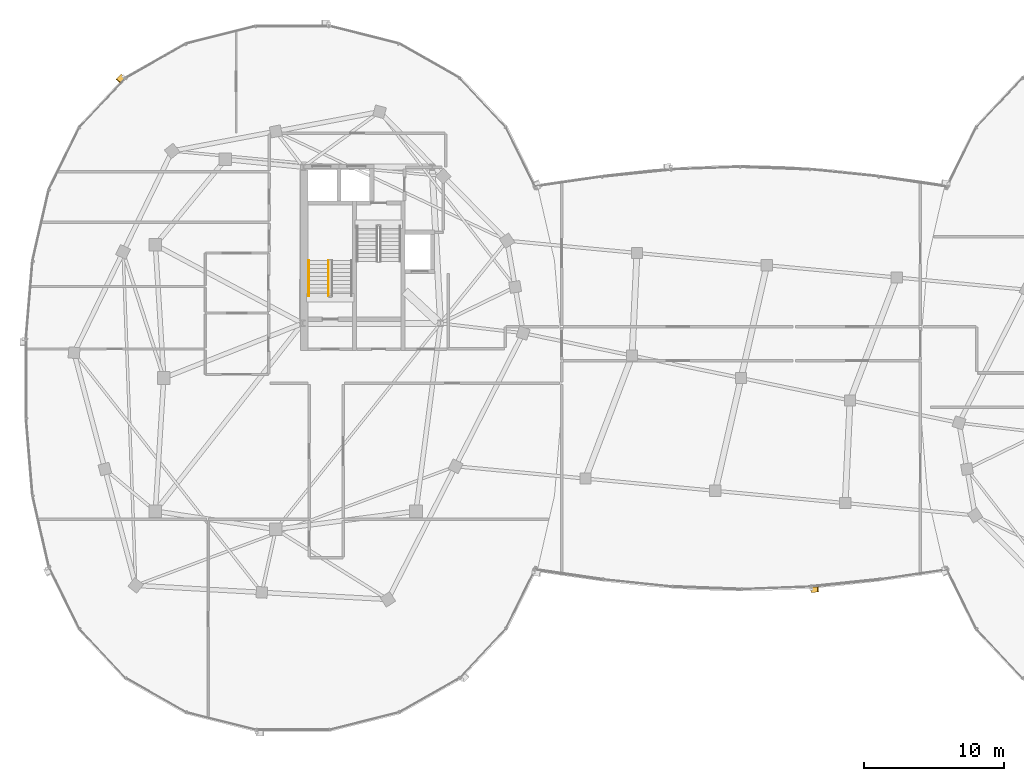
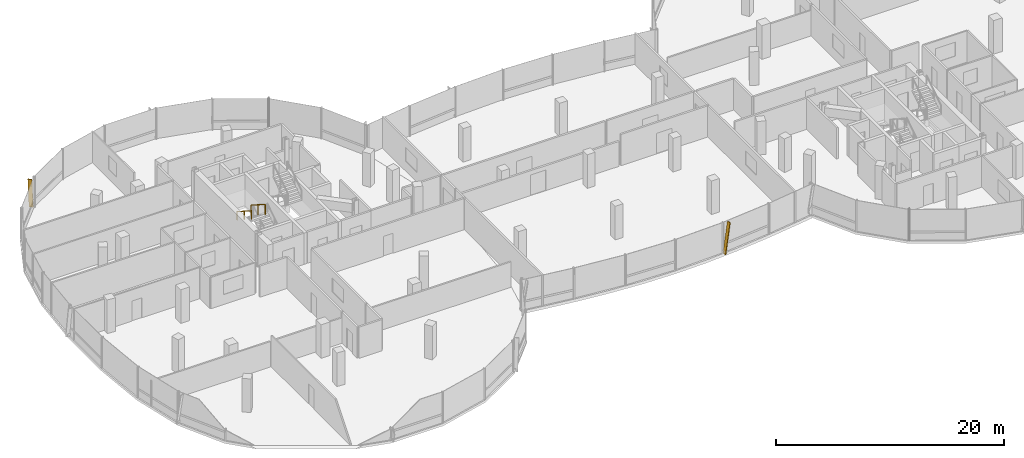
# One storey, part 22 of 25: 2 railings, 2 shading devices.
"""IFC4 building model written with IfcOpenShell, lengths in metres."""

from ifc_helpers import new_model, si_unit, direction, frame, origin, origin_2d, place, context, subcontext, project, spatial, rectangle, extrude, material, material_profile, profile_set, type_object, element, save


model = new_model("IFC4")

# Units and contexts
model_context = context("Model", 3, precision=1e-05, world=origin(), true_north=direction((0.0, 1.0)))
body_context = subcontext(model_context, "Body", "Model", "MODEL_VIEW")
ifc_project = project(units=[si_unit("LENGTHUNIT", "METRE"), si_unit("AREAUNIT", "SQUARE_METRE"), si_unit("VOLUMEUNIT", "CUBIC_METRE"), si_unit("PLANEANGLEUNIT", "RADIAN"), si_unit("MASSUNIT", "GRAM", prefix="KILO"), si_unit("THERMODYNAMICTEMPERATUREUNIT", "KELVIN"), si_unit("POWERUNIT", "WATT")], contexts=[model_context])

# Site, building, storey
site_placement = place(None, origin())
site = spatial("IfcSite", under=ifc_project, at=site_placement, CompositionType="ELEMENT")
building_placement = place(site_placement, origin())
building = spatial("IfcBuilding", under=site, at=building_placement, Name="Cundina Bronze Exchange", CompositionType="ELEMENT")
storey_placement = place(building_placement, frame((0.0, 0.0, 257.60009765625)))
storey = spatial("IfcBuildingStorey", under=building, at=storey_placement, Name="L68", CompositionType="ELEMENT", Elevation=257.60009765625)

# Railings
ifc_material_1 = material(Name="Steel ASTM A36 Painted", Category="steel")
railing_type_1 = type_object("IfcRailingType", Name="RLG-HND-900", PredefinedType="HANDRAIL", material=ifc_material_1)
railing_1_placement = place(storey_placement, frame((-30.85009765625, 8.3701171875, 1.97998046875)))
element("IfcRailing", 1, at=railing_1_placement, inside=storey, type_object=railing_type_1, Name="L68 ST-W1 stair handrail 2", PredefinedType="HANDRAIL", context=body_context, shape_type="SweptSolid", body=[
    extrude(rectangle(XDim=0.048095703125, YDim=0.048095703125, at=origin_2d()), frame((0.0, 0.0, 0.8759765625), z_axis=(0.0, -0.841199657755, 0.540724639528), x_axis=(1.0, 0.0, 0.0)), (0.0, 0.0, 1.0), 2.995849609375),
    extrude(rectangle(XDim=0.0419921875, YDim=0.0419921875, at=origin_2d()), origin(), (0.0, 0.0, 1.0), 0.851806640625),
    extrude(rectangle(XDim=0.0419921875, YDim=0.0419921875, at=origin_2d()), frame((0.0, -1.260009765625, 0.81005859375)), (0.0, 0.0, 1.0), 0.851806640625),
    extrude(rectangle(XDim=0.0419921875, YDim=0.0419921875, at=origin_2d()), frame((0.0, -2.52001953125, 1.619873046875)), (0.0, 0.0, 1.0), 0.851806640625),
])
railing_type_2 = type_object("IfcRailingType", Name="RLG-STG-1100", PredefinedType="GUARDRAIL", material=ifc_material_1)
railing_2_placement = place(storey_placement, frame((-29.449951171875, 8.3701171875, 1.97998046875)))
element("IfcRailing", 2, at=railing_2_placement, inside=storey, type_object=railing_type_2, Name="L68 ST-W1 stair guard 3", PredefinedType="GUARDRAIL", context=body_context, shape_type="SweptSolid", body=[
    extrude(rectangle(XDim=0.048095703125, YDim=0.048095703125, at=origin_2d()), frame((0.0, 0.0, 1.076171875), z_axis=(0.0, -0.841199657755, 0.540724639528), x_axis=(1.0, 0.0, 0.0)), (0.0, 0.0, 1.0), 2.995849609375),
    extrude(rectangle(XDim=0.0419921875, YDim=0.0419921875, at=origin_2d()), origin(), (0.0, 0.0, 1.0), 1.052001953125),
    extrude(rectangle(XDim=0.0419921875, YDim=0.0419921875, at=origin_2d()), frame((0.0, -1.260009765625, 0.81005859375)), (0.0, 0.0, 1.0), 1.052001953125),
    extrude(rectangle(XDim=0.0419921875, YDim=0.0419921875, at=origin_2d()), frame((0.0, -2.52001953125, 1.619873046875)), (0.0, 0.0, 1.0), 1.052001953125),
])

# Shading devices
ifc_material_2 = material(Name="Anodised Bronze Aluminium 6063-T6", Category="aluminium")
ifc_material_profile = material_profile(ifc_material_2, rectangle(XDim=0.070068359375, YDim=0.3798828125, at=origin_2d()), Name="FIN70X380", Category="aluminium")
ifc_profile_set = profile_set([ifc_material_profile], Name="Anodised Bronze Aluminium 6063-T6")
shading_device_type = type_object("IfcShadingDeviceType", Name="SHD-FIN-BRZ380", PredefinedType="USERDEFINED", material=ifc_profile_set)
shading_device_1_placement = place(storey_placement, frame((-44.122314453125, 21.55078125, 0.02001953125), z_axis=(-0.09854858404, -0.104918366218, 0.989585930081), x_axis=(0.677504689193, 0.721295854096, 0.143943346447)))
element("IfcShadingDevice", 3, at=shading_device_1_placement, inside=storey, type_object=shading_device_type, Name="L68 Diagonal Bronze Solar Fin 1", ObjectType="FIN", PredefinedType="USERDEFINED", context=body_context, shape_type="SweptSolid", body=[
    extrude(rectangle(XDim=0.070068359375, YDim=0.3798828125, at=origin_2d()), origin(), (0.0, 0.0, 1.0), 3.33447265625),
])
shading_device_2_placement = place(storey_placement, frame((5.0146484375, -15.12890625, 0.02001953125), z_axis=(0.145724273631, 0.015056932621, 0.989210657471), x_axis=(-0.983972150742, -0.101668733734, 0.14650008582)))
element("IfcShadingDevice", 4, at=shading_device_2_placement, inside=storey, type_object=shading_device_type, Name="L68 Diagonal Bronze Solar Fin 5", ObjectType="FIN", PredefinedType="USERDEFINED", context=body_context, shape_type="SweptSolid", body=[
    extrude(rectangle(XDim=0.070068359375, YDim=0.3798828125, at=origin_2d()), origin(), (0.0, 0.0, 1.0), 3.275390625),
])

save(model, "model.ifc")
